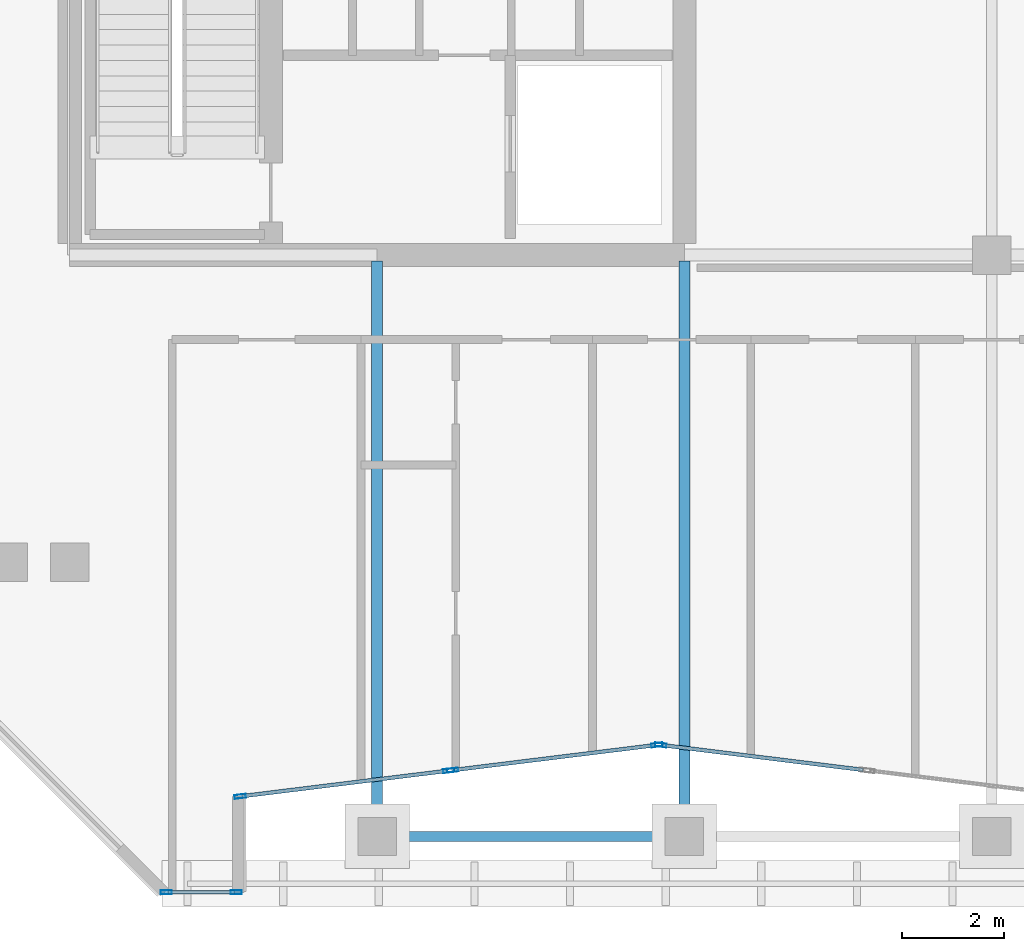
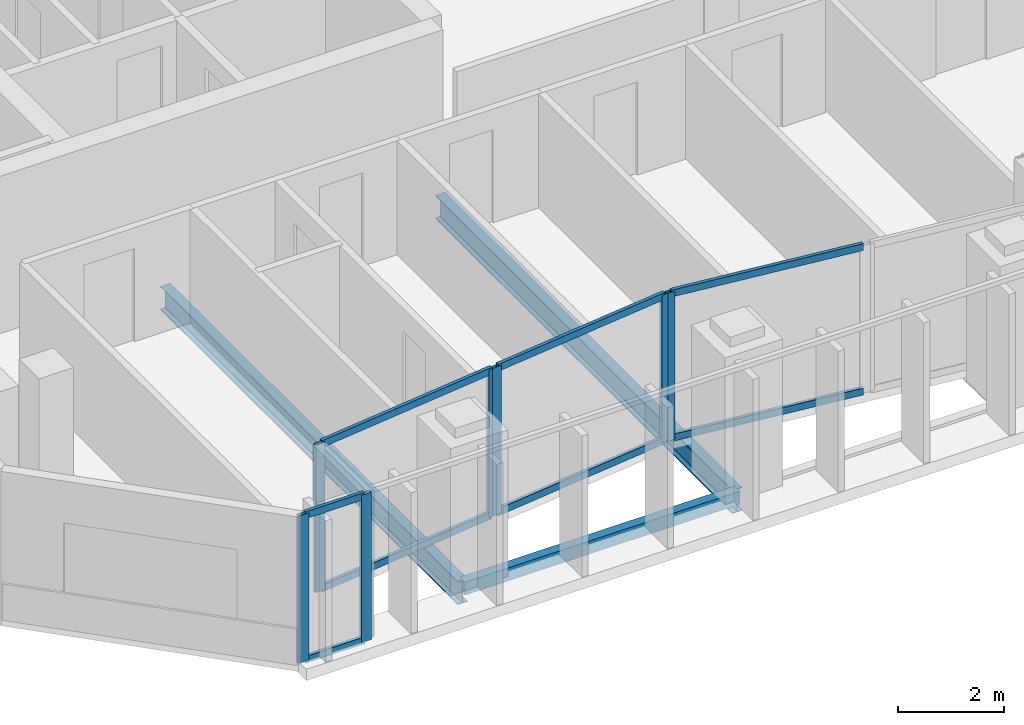
# One storey, part 2 of 32: 15 members, 3 beams, 4 elements without a shape of their own.
"""IFC4 building model written with IfcOpenShell, lengths in metres."""

from ifc_helpers import new_model, si_unit, direction, frame, origin, origin_2d, place, context, subcontext, project, spatial, hollow_rectangle, i_section, extrude, material, layer, layer_set, material_profile, profile_set, type_object, element, aggregate, save


model = new_model("IFC4")

# Units and contexts
model_context = context("Model", 3, precision=1e-05, world=origin(), true_north=direction((0.0, 1.0)))
body_context = subcontext(model_context, "Body", "Model", "MODEL_VIEW")
ifc_project = project(units=[si_unit("LENGTHUNIT", "METRE"), si_unit("AREAUNIT", "SQUARE_METRE"), si_unit("VOLUMEUNIT", "CUBIC_METRE"), si_unit("PLANEANGLEUNIT", "RADIAN"), si_unit("MASSUNIT", "GRAM", prefix="KILO")], contexts=[model_context])

# Site, building, storey
site_placement = place(None, origin())
site = spatial("IfcSite", under=ifc_project, at=site_placement, CompositionType="ELEMENT")
building_placement = place(site_placement, origin())
building = spatial("IfcBuilding", under=site, at=building_placement, Name="Tanjung Sevakor Pilgrim Tower", CompositionType="ELEMENT")
storey_placement = place(building_placement, frame((0.0, 0.0, 211.860107421875)))
storey = spatial("IfcBuildingStorey", under=building, at=storey_placement, Name="L59", CompositionType="ELEMENT", Elevation=211.860107421875)

# Beams
ifc_material_1 = material(Name="Steel S355J2", Category="steel")
ifc_material_profile_1 = material_profile(ifc_material_1, i_section(OverallWidth=0.2119140625, OverallDepth=0.54443359375, WebThickness=0.0126953125, FlangeThickness=0.021240234375, FilletRadius=0.0126953125, at=origin_2d()))
ifc_profile_set_1 = profile_set([ifc_material_profile_1], Name="Steel S355J2")
beam_type_1 = type_object("IfcBeamType", Name="BM-B-G5-UB_533x210x122", PredefinedType="BEAM", material=ifc_profile_set_1)
for number, where, z_axis, x_axis, name in (
    (1, (30.0, 13.25, -0.492431640625), (0.0, 1.0, 0.0), (-1.0, 0.0, 0.0), "L59 MAIN Girder 001"),
    (2, (36.0, 13.25, -0.492431640625), (0.0, 1.0, 0.0), (-1.0, 0.0, 0.0), "L59 MAIN Girder 003"),
):
    element("IfcBeam", number, at=place(storey_placement, frame(where, z_axis=z_axis, x_axis=x_axis)), inside=storey, type_object=beam_type_1, Name=name, PredefinedType="BEAM", context=body_context, shape_type="SweptSolid", body=[
        extrude(i_section(OverallWidth=0.2119140625, OverallDepth=0.54443359375, WebThickness=0.0126953125, FlangeThickness=0.021240234375, FilletRadius=0.0126953125, at=origin_2d()), origin(), (0.0, 0.0, 1.0), 11.235595703125),
    ])
ifc_material_2 = material(Name="Steel S355J2", Category="steel")
ifc_material_profile_2 = material_profile(ifc_material_2, hollow_rectangle(XDim=0.199951171875, YDim=0.300048828125, WallThickness=0.012451171875, at=origin_2d()))
ifc_profile_set_2 = profile_set([ifc_material_profile_2], Name="Steel S355J2")
beam_type_2 = type_object("IfcBeamType", Name="BM-B-SP3-RHS_300x200x12.5", PredefinedType="SPANDREL", material=ifc_profile_set_2)
beam_placement = place(storey_placement, frame((30.0, 13.25, -0.3701171875), z_axis=(1.0, 0.0, 0.0), x_axis=(0.0, 1.0, 0.0)))
element("IfcBeam", 3, at=beam_placement, inside=storey, type_object=beam_type_2, Name="L59 Spandrel MAIN S-01", PredefinedType="SPANDREL", context=body_context, shape_type="SweptSolid", body=[
    extrude(hollow_rectangle(XDim=0.199951171875, YDim=0.300048828125, WallThickness=0.012451171875, at=origin_2d()), origin(), (0.0, 0.0, 1.0), 6.0),
])

# Curtain wall, members
ifc_material_3 = material(Name="Aluminium 6063-T6 and Low-E Glass", Category="aluminium")
ifc_layer = layer(ifc_material_3, 0.199951171875)
ifc_layer_set = layer_set([ifc_layer], Name="CW-SYS-PRAY")
curtain_wall_type = type_object("IfcCurtainWallType", Name="CW-SYS-PRAY", PredefinedType="NOTDEFINED", material=ifc_layer_set)
curtain_wall_1_placement = place(storey_placement, origin())
curtain_wall_1 = element("IfcCurtainWall", 4, at=curtain_wall_1_placement, inside=storey, type_object=curtain_wall_type, Name="L59 Curtain Wall CW-PRY-L59-0", PredefinedType="NOTDEFINED")
ifc_material_4 = material(Name="Aluminium 6063-T6", Category="aluminium")
ifc_material_profile_3 = material_profile(ifc_material_4, hollow_rectangle(XDim=0.074951171875, YDim=0.219970703125, WallThickness=0.0048828125, at=origin_2d()))
ifc_profile_set_3 = profile_set([ifc_material_profile_3], Name="Aluminium 6063-T6")
member_type_1 = type_object("IfcMemberType", Name="TYPE-CWM-2", PredefinedType="MULLION", material=ifc_profile_set_3)
member_1_placement = place(storey_placement, frame((25.883056640625, 12.159912109375, 0.0), z_axis=(0.0, 0.0, 1.0), x_axis=(0.0, 1.0, 0.0)))
member_1 = element("IfcMember", 5, at=member_1_placement, type_object=member_type_1, Name="CW-PRY mullion 1", PredefinedType="MULLION", context=body_context, shape_type="SweptSolid", body=[
    extrude(hollow_rectangle(XDim=0.074951171875, YDim=0.219970703125, WallThickness=0.0048828125, at=origin_2d()), origin(), (0.0, 0.0, 1.0), 3.409912109375),
])
member_2_placement = place(storey_placement, frame((27.25244140625, 12.159912109375, 0.0), z_axis=(0.0, 0.0, 1.0), x_axis=(0.0, 1.0, 0.0)))
member_2 = element("IfcMember", 6, at=member_2_placement, type_object=member_type_1, Name="CW-PRY mullion 2", PredefinedType="MULLION", context=body_context, shape_type="SweptSolid", body=[
    extrude(hollow_rectangle(XDim=0.074951171875, YDim=0.219970703125, WallThickness=0.0048828125, at=origin_2d()), origin(), (0.0, 0.0, 1.0), 3.409912109375),
])

curtain_wall_2_placement = place(storey_placement, origin())
curtain_wall_2 = element("IfcCurtainWall", 7, at=curtain_wall_2_placement, inside=storey, type_object=curtain_wall_type, Name="L59 Curtain Wall CW-PRY-L59-2", PredefinedType="NOTDEFINED")
member_3_placement = place(storey_placement, frame((27.3271484375, 14.031982421875, 0.0), z_axis=(0.0, 0.0, 1.0), x_axis=(-0.122523370361, 0.992465628481, 0.0)))
member_3 = element("IfcMember", 8, at=member_3_placement, type_object=member_type_1, Name="CW-PRY mullion 1", PredefinedType="MULLION", context=body_context, shape_type="SweptSolid", body=[
    extrude(hollow_rectangle(XDim=0.074951171875, YDim=0.219970703125, WallThickness=0.0048828125, at=origin_2d()), origin(), (0.0, 0.0, 1.0), 3.409912109375),
])
member_4_placement = place(storey_placement, frame((31.399169921875, 14.53466796875, 0.0), z_axis=(0.0, 0.0, 1.0), x_axis=(-0.122523370361, 0.992465628481, 0.0)))
member_4 = element("IfcMember", 9, at=member_4_placement, type_object=member_type_1, Name="CW-PRY mullion 2", PredefinedType="MULLION", context=body_context, shape_type="SweptSolid", body=[
    extrude(hollow_rectangle(XDim=0.074951171875, YDim=0.219970703125, WallThickness=0.0048828125, at=origin_2d()), origin(), (0.0, 0.0, 1.0), 3.409912109375),
])

curtain_wall_3_placement = place(storey_placement, origin())
curtain_wall_3 = element("IfcCurtainWall", 10, at=curtain_wall_3_placement, inside=storey, type_object=curtain_wall_type, Name="L59 Curtain Wall CW-PRY-L59-3", PredefinedType="NOTDEFINED")
member_5_placement = place(storey_placement, frame((31.4736328125, 14.543701171875, 0.0), z_axis=(0.0, 0.0, 1.0), x_axis=(-0.122510533794, 0.992467213116, 0.0)))
member_5 = element("IfcMember", 11, at=member_5_placement, type_object=member_type_1, Name="CW-PRY mullion 1", PredefinedType="MULLION", context=body_context, shape_type="SweptSolid", body=[
    extrude(hollow_rectangle(XDim=0.074951171875, YDim=0.219970703125, WallThickness=0.0048828125, at=origin_2d()), origin(), (0.0, 0.0, 1.0), 3.409912109375),
])
member_6_placement = place(storey_placement, frame((35.462890625, 15.0361328125, 0.0), z_axis=(0.0, 0.0, 1.0), x_axis=(-0.122510533794, 0.992467213116, 0.0)))
member_6 = element("IfcMember", 12, at=member_6_placement, type_object=member_type_1, Name="CW-PRY mullion 2", PredefinedType="MULLION", context=body_context, shape_type="SweptSolid", body=[
    extrude(hollow_rectangle(XDim=0.074951171875, YDim=0.219970703125, WallThickness=0.0048828125, at=origin_2d()), origin(), (0.0, 0.0, 1.0), 3.409912109375),
])

# Curtain wall, member
curtain_wall_4_placement = place(storey_placement, origin())
curtain_wall_4 = element("IfcCurtainWall", 13, at=curtain_wall_4_placement, inside=storey, type_object=curtain_wall_type, Name="L59 Curtain Wall CW-PRY-L59-4", PredefinedType="NOTDEFINED")
member_7_placement = place(storey_placement, frame((35.537109375, 15.0361328125, 0.0), z_axis=(0.0, 0.0, 1.0), x_axis=(0.122510533794, 0.992467213116, 0.0)))
member_7 = element("IfcMember", 14, at=member_7_placement, type_object=member_type_1, Name="CW-PRY mullion 1", PredefinedType="MULLION", context=body_context, shape_type="SweptSolid", body=[
    extrude(hollow_rectangle(XDim=0.074951171875, YDim=0.219970703125, WallThickness=0.0048828125, at=origin_2d()), origin(), (0.0, 0.0, 1.0), 3.409912109375),
])

# Member
ifc_material_5 = material(Name="Aluminium 6063-T6", Category="aluminium")
ifc_material_profile_4 = material_profile(ifc_material_5, hollow_rectangle(XDim=0.074951171875, YDim=0.159912109375, WallThickness=0.00439453125, at=origin_2d()))
ifc_profile_set_4 = profile_set([ifc_material_profile_4], Name="Aluminium 6063-T6")
member_type_2 = type_object("IfcMemberType", Name="TYPE-CWT-2", PredefinedType="USERDEFINED", material=ifc_profile_set_4)
member_8_placement = place(storey_placement, frame((25.920654296875, 12.159912109375, 0.037353515625), z_axis=(1.0, 0.0, 0.0), x_axis=(0.0, 1.0, 0.0)))
member_8 = element("IfcMember", 15, at=member_8_placement, type_object=member_type_2, Name="CW-PRY transom 1.1", ObjectType="TRANSOM", PredefinedType="USERDEFINED", context=body_context, shape_type="SweptSolid", body=[
    extrude(hollow_rectangle(XDim=0.074951171875, YDim=0.159912109375, WallThickness=0.00439453125, at=origin_2d()), origin(), (0.0, 0.0, 1.0), 1.29443359375),
])

member_9_placement = place(storey_placement, frame((25.920654296875, 12.159912109375, 3.372314453125), z_axis=(1.0, 0.0, 0.0), x_axis=(0.0, 1.0, 0.0)))
member_9 = element("IfcMember", 16, at=member_9_placement, type_object=member_type_2, Name="CW-PRY transom 1.2", ObjectType="TRANSOM", PredefinedType="USERDEFINED", context=body_context, shape_type="SweptSolid", body=[
    extrude(hollow_rectangle(XDim=0.074951171875, YDim=0.159912109375, WallThickness=0.00439453125, at=origin_2d()), origin(), (0.0, 0.0, 1.0), 1.29443359375),
])

aggregate(curtain_wall_1, [member_1, member_2, member_8, member_9])

member_10_placement = place(storey_placement, frame((27.364501953125, 14.036376953125, 0.037353515625), z_axis=(0.992461410932, 0.122557528576, 0.0), x_axis=(-0.122557528576, 0.992461410932, 0.0)))
member_10 = element("IfcMember", 17, at=member_10_placement, type_object=member_type_2, Name="CW-PRY transom 1.1", ObjectType="TRANSOM", PredefinedType="USERDEFINED", context=body_context, shape_type="SweptSolid", body=[
    extrude(hollow_rectangle(XDim=0.074951171875, YDim=0.159912109375, WallThickness=0.00439453125, at=origin_2d()), origin(), (0.0, 0.0, 1.0), 4.02783203125),
])

member_11_placement = place(storey_placement, frame((27.364501953125, 14.036376953125, 3.372314453125), z_axis=(0.992461410932, 0.122557528576, 0.0), x_axis=(-0.122557528576, 0.992461410932, 0.0)))
member_11 = element("IfcMember", 18, at=member_11_placement, type_object=member_type_2, Name="CW-PRY transom 1.2", ObjectType="TRANSOM", PredefinedType="USERDEFINED", context=body_context, shape_type="SweptSolid", body=[
    extrude(hollow_rectangle(XDim=0.074951171875, YDim=0.159912109375, WallThickness=0.00439453125, at=origin_2d()), origin(), (0.0, 0.0, 1.0), 4.02783203125),
])

aggregate(curtain_wall_2, [member_3, member_4, member_10, member_11])

member_12_placement = place(storey_placement, frame((31.510986328125, 14.54833984375, 0.037353515625), z_axis=(0.992469042694, 0.122495711332, 0.0), x_axis=(-0.122495711332, 0.992469042694, 0.0)))
member_12 = element("IfcMember", 19, at=member_12_placement, type_object=member_type_2, Name="CW-PRY transom 1.1", ObjectType="TRANSOM", PredefinedType="USERDEFINED", context=body_context, shape_type="SweptSolid", body=[
    extrude(hollow_rectangle(XDim=0.074951171875, YDim=0.159912109375, WallThickness=0.00439453125, at=origin_2d()), origin(), (0.0, 0.0, 1.0), 3.9443359375),
])

member_13_placement = place(storey_placement, frame((31.510986328125, 14.54833984375, 3.372314453125), z_axis=(0.992469042694, 0.122495711332, 0.0), x_axis=(-0.122495711332, 0.992469042694, 0.0)))
member_13 = element("IfcMember", 20, at=member_13_placement, type_object=member_type_2, Name="CW-PRY transom 1.2", ObjectType="TRANSOM", PredefinedType="USERDEFINED", context=body_context, shape_type="SweptSolid", body=[
    extrude(hollow_rectangle(XDim=0.074951171875, YDim=0.159912109375, WallThickness=0.00439453125, at=origin_2d()), origin(), (0.0, 0.0, 1.0), 3.9443359375),
])

aggregate(curtain_wall_3, [member_5, member_6, member_12, member_13])

member_14_placement = place(storey_placement, frame((35.574462890625, 15.031494140625, 0.037353515625), z_axis=(0.992469042694, -0.122495711332, 0.0), x_axis=(0.122495711332, 0.992469042694, 0.0)))
member_14 = element("IfcMember", 21, at=member_14_placement, type_object=member_type_2, Name="CW-PRY transom 1.1", ObjectType="TRANSOM", PredefinedType="USERDEFINED", context=body_context, shape_type="SweptSolid", body=[
    extrude(hollow_rectangle(XDim=0.074951171875, YDim=0.159912109375, WallThickness=0.00439453125, at=origin_2d()), origin(), (0.0, 0.0, 1.0), 3.9443359375),
])

member_15_placement = place(storey_placement, frame((35.574462890625, 15.031494140625, 3.372314453125), z_axis=(0.992469042694, -0.122495711332, 0.0), x_axis=(0.122495711332, 0.992469042694, 0.0)))
member_15 = element("IfcMember", 22, at=member_15_placement, type_object=member_type_2, Name="CW-PRY transom 1.2", ObjectType="TRANSOM", PredefinedType="USERDEFINED", context=body_context, shape_type="SweptSolid", body=[
    extrude(hollow_rectangle(XDim=0.074951171875, YDim=0.159912109375, WallThickness=0.00439453125, at=origin_2d()), origin(), (0.0, 0.0, 1.0), 3.9443359375),
])

aggregate(curtain_wall_4, [member_7, member_14, member_15])

save(model, "model.ifc")
